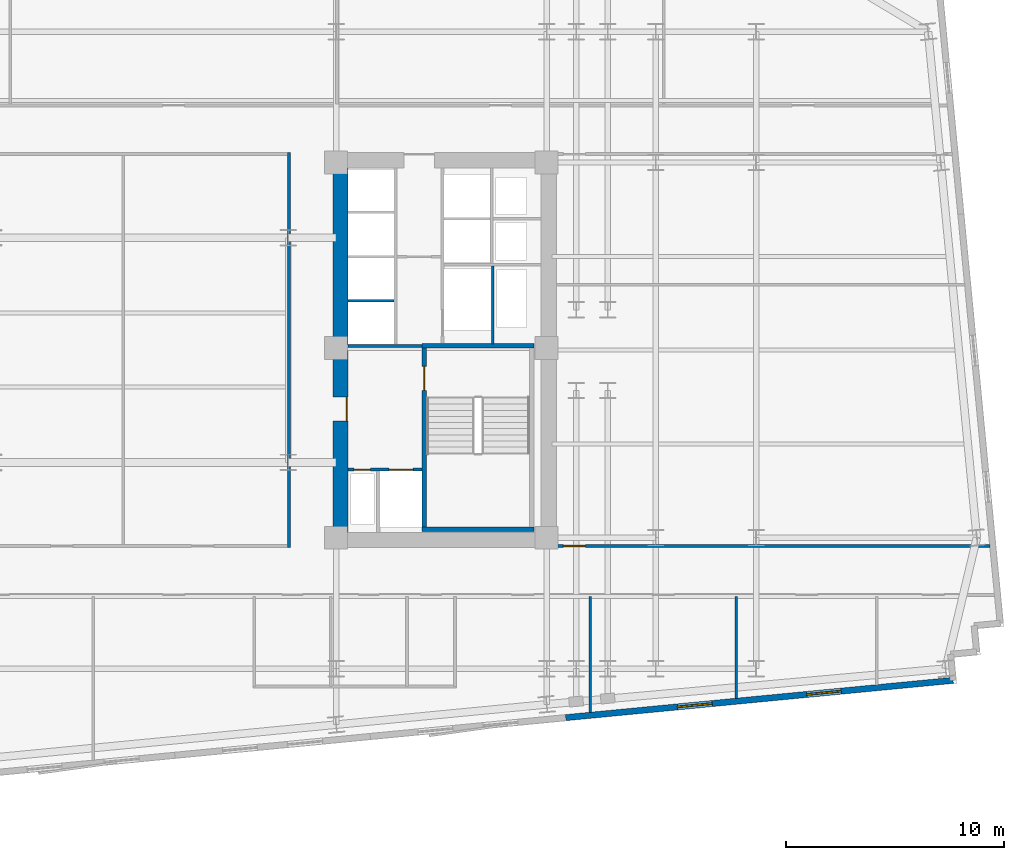
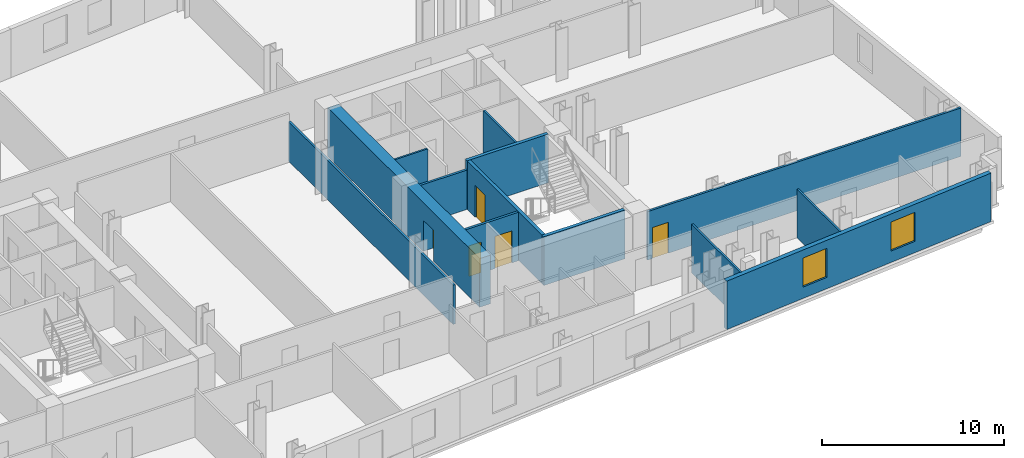
# One storey, part 6 of 10: 13 walls, 5 doors, 2 windows, 7 openings.
"""IFC4 building model written with IfcOpenShell, lengths in metres."""

import ifcopenshell
import ifcopenshell.guid

model = None  # the IFC model being written
_history = None  # IfcOwnerHistory: only IFC2X3 demands one
_inside = {}  # id of a spatial element -> (the spatial element, [elements in it])
_under = {}  # id of a project, library or spatial element -> (it, [spatial elements below it])
_declared = {}  # id of a project -> (the project, [libraries it declares])
_typed = {}  # id of a type object -> (the type object, [elements of that type])
_made_of = {}  # id of a material, layer set ... -> (it, [elements and type objects made of it])


def new_model(schema):
    """Start an empty IFC model of exactly this schema.

    Asked for "IFC4X3", IfcOpenShell would pick the latest addendum, in which some entities
    have other attributes; the version numbers below select the first issue.
    IFC2X3 requires an IfcOwnerHistory on every rooted entity: one is made here for all.
    """
    global model, _history
    if schema == "IFC4X3":
        model = ifcopenshell.file(schema_version=(4, 3, 0, 0))
    else:
        model = ifcopenshell.file(schema=schema)
    _inside.clear()
    _under.clear()
    _declared.clear()
    _typed.clear()
    _made_of.clear()
    _history = None
    if model.schema == "IFC2X3":
        org = make("IfcOrganization", Name="unknown")
        user = make(
            "IfcPersonAndOrganization",
            ThePerson=make("IfcPerson", FamilyName="unknown"),
            TheOrganization=org,
        )
        app = make(
            "IfcApplication",
            ApplicationDeveloper=org,
            Version="unknown",
            ApplicationFullName="unknown",
            ApplicationIdentifier="unknown",
        )
        _history = make(
            "IfcOwnerHistory",
            OwningUser=user,
            OwningApplication=app,
            ChangeAction="ADDED",
            CreationDate=0,
        )
    return model


def make(cls, **values):
    """One entity of the class cls with the attributes given. An attribute that is None is left unset."""
    return model.create_entity(
        cls, **{name: value for name, value in values.items() if value is not None}
    )


def rooted(cls, **values):
    """An entity with a GlobalId (a new one), such as an element, a storey or a relation."""
    return make(cls, GlobalId=ifcopenshell.guid.new(), OwnerHistory=_history, **values)


def si_unit(unit_type, name, prefix=None):
    """IfcSIUnit, for example si_unit("LENGTHUNIT", "METRE", prefix="MILLI")."""
    return make("IfcSIUnit", UnitType=unit_type, Prefix=prefix, Name=name)


def assignment(units):
    """IfcUnitAssignment: the units of a project."""
    return None if units is None else make("IfcUnitAssignment", Units=units)


def point(xyz):
    """IfcCartesianPoint."""
    return None if xyz is None else make("IfcCartesianPoint", Coordinates=xyz)


def direction(xyz):
    """IfcDirection."""
    return None if xyz is None else make("IfcDirection", DirectionRatios=xyz)


def frame(location, z_axis=None, x_axis=None):
    """IfcAxis2Placement3D, a coordinate frame: its origin and axes. An axis left out is left unset."""
    return make(
        "IfcAxis2Placement3D",
        Location=point(location),
        Axis=direction(z_axis),
        RefDirection=direction(x_axis),
    )


def frame_2d(location, x_axis=None):
    """IfcAxis2Placement2D, a coordinate frame in the plane: its origin and x axis."""
    return make(
        "IfcAxis2Placement2D", Location=point(location), RefDirection=direction(x_axis)
    )


def origin():
    """The frame at (0, 0, 0) with its axes left unset."""
    return frame((0.0, 0.0, 0.0))


def place(relative_to, where):
    """IfcLocalPlacement: puts the frame where relative to a parent placement (None: the world)."""
    return make(
        "IfcLocalPlacement", PlacementRelTo=relative_to, RelativePlacement=where
    )


def context(
    kind, dimensions, precision=None, world=None, true_north=None, identifier=None
):
    """IfcGeometricRepresentationContext, for example the 3D "Model" context."""
    return make(
        "IfcGeometricRepresentationContext",
        ContextIdentifier=identifier,
        ContextType=kind,
        CoordinateSpaceDimension=dimensions,
        Precision=precision,
        WorldCoordinateSystem=world,
        TrueNorth=true_north,
    )


def subcontext(parent, identifier, kind, view, scale=None):
    """IfcGeometricRepresentationSubContext, for example "Body" below "Model"."""
    return make(
        "IfcGeometricRepresentationSubContext",
        ContextIdentifier=identifier,
        ContextType=kind,
        ParentContext=parent,
        TargetScale=scale,
        TargetView=view,
    )


def project(units=None, contexts=None):
    """IfcProject with its units and contexts."""
    return rooted(
        "IfcProject",
        Name="project",
        RepresentationContexts=contexts,
        UnitsInContext=assignment(units),
    )


def spatial(cls, under=None, at=None, **own):
    """A site, building, storey or space (cls), placed at a placement, below another one or the project."""
    s = rooted(cls, ObjectPlacement=at, **own)
    if under is not None:
        _under.setdefault(under.id(), (under, []))[1].append(s)
    return s


def profile(cls, at=None, kind="AREA", **sizes):
    """A parametric profile (cls). Its sizes go by their IFC names, for example OverallWidth=200.0."""
    return make(cls, ProfileType=kind, Position=at, **sizes)


def rectangle(**sizes):
    """IfcRectangleProfileDef."""
    return profile("IfcRectangleProfileDef", **sizes)


def extrude(swept, where, along, depth):
    """IfcExtrudedAreaSolid: the profile swept, set in the frame where, extruded along a direction by depth."""
    return make(
        "IfcExtrudedAreaSolid",
        SweptArea=swept,
        Position=where,
        ExtrudedDirection=direction(along),
        Depth=depth,
    )


def shape(context_of_items, identifier, shape_type, items):
    """IfcShapeRepresentation: the items that make up one representation, for example the "Body"."""
    return make(
        "IfcShapeRepresentation",
        ContextOfItems=context_of_items,
        RepresentationIdentifier=identifier,
        RepresentationType=shape_type,
        Items=items,
    )


def material(Name=None, Category=None):
    """IfcMaterial."""
    return make("IfcMaterial", Name=Name, Category=Category)


def layer(
    of_material, thickness, ventilated=None, Name=None, Category=None, Priority=None
):
    """IfcMaterialLayer: one layer of a wall or slab, of a material (None: an air gap)."""
    return make(
        "IfcMaterialLayer",
        Material=of_material,
        LayerThickness=thickness,
        IsVentilated=ventilated,
        Name=Name,
        Category=Category,
        Priority=Priority,
    )


def layer_set(layers, Name=None):
    """IfcMaterialLayerSet."""
    return make("IfcMaterialLayerSet", MaterialLayers=layers, LayerSetName=Name)


def made_of(thing, what):
    """Note that an element or type object is made of a material, layer set ...; save() writes the relation."""
    if what is not None:
        _made_of.setdefault(what.id(), (what, []))[1].append(thing)
    return thing


def type_object(cls, material=None, **own):
    """A type object (cls), such as IfcWallType, which elements share."""
    return made_of(rooted(cls, **own), material)


def element(
    cls,
    number,
    at=None,
    inside=None,
    cuts=None,
    type_object=None,
    material=None,
    context=None,
    identifier="Body",
    shape_type=None,
    held_by="IfcProductDefinitionShape",
    body=None,
    shapes=None,
    **own,
):
    """One element of the class cls, such as IfcWall. Its Tag is "e" and its number.

    at: its placement. inside: the storey or other place that contains it. cuts: it is an
    opening in that element (IfcRelVoidsElement). A single representation is given by context,
    identifier, shape_type and body (its items); several are given by shapes. held_by: the class
    of the entity that holds the representations. save() writes the other relations.
    """
    e = rooted(cls, Tag="e%d" % number, ObjectPlacement=at, **own)
    if body is not None:
        shapes = [shape(context, identifier, shape_type, body)]
    if shapes is not None:
        e.Representation = make(held_by, Representations=shapes)
    if inside is not None:
        _inside.setdefault(inside.id(), (inside, []))[1].append(e)
    if cuts is not None:
        rooted(
            "IfcRelVoidsElement", RelatingBuildingElement=cuts, RelatedOpeningElement=e
        )
    if type_object is not None:
        _typed.setdefault(type_object.id(), (type_object, []))[1].append(e)
    return made_of(e, material)


def fill(opening, filler):
    """IfcRelFillsElement: the door or window that sits in an opening."""
    return rooted(
        "IfcRelFillsElement",
        RelatingOpeningElement=opening,
        RelatedBuildingElement=filler,
    )


def aggregate(whole, parts):
    """IfcRelAggregates: a whole, such as a stair, and the parts it consists of."""
    return rooted("IfcRelAggregates", RelatingObject=whole, RelatedObjects=parts)


def save(model, path):
    """Write the relations noted so far, then the file.

    IfcRelAggregates (storeys below a building ...), IfcRelContainedInSpatialStructure (elements
    in a storey), IfcRelDefinesByType, IfcRelAssociatesMaterial and IfcRelDeclares: one each for
    every whole, place, type object, material and project.
    """
    for whole, parts in _under.values():
        aggregate(whole, parts)
    for where, things in _inside.values():
        rooted(
            "IfcRelContainedInSpatialStructure",
            RelatedElements=things,
            RelatingStructure=where,
        )
    for kind, things in _typed.values():
        rooted("IfcRelDefinesByType", RelatedObjects=things, RelatingType=kind)
    for what, things in _made_of.values():
        rooted("IfcRelAssociatesMaterial", RelatedObjects=things, RelatingMaterial=what)
    for by, libraries in _declared.values():
        rooted("IfcRelDeclares", RelatingContext=by, RelatedDefinitions=libraries)
    model.write(path)


model = new_model("IFC4")

# Units and contexts
model_context = context("Model", 3, precision=1e-05, world=origin(), true_north=direction((0.0, 1.0)))
body_context = subcontext(model_context, "Body", "Model", "MODEL_VIEW")
ifc_project = project(units=[si_unit("LENGTHUNIT", "METRE"), si_unit("AREAUNIT", "SQUARE_METRE"), si_unit("VOLUMEUNIT", "CUBIC_METRE"), si_unit("PLANEANGLEUNIT", "RADIAN"), si_unit("MASSUNIT", "GRAM", prefix="KILO")], contexts=[model_context])

# Site, building, storey
site_placement = place(None, origin())
site = spatial("IfcSite", under=ifc_project, at=site_placement, CompositionType="ELEMENT")
building_placement = place(site_placement, origin())
building = spatial("IfcBuilding", under=site, at=building_placement, Name="Velakula Bourse", CompositionType="ELEMENT")
storey_placement = place(building_placement, frame((0.0, 0.0, 84.550048828125)))
storey = spatial("IfcBuildingStorey", under=building, at=storey_placement, Name="L22", CompositionType="ELEMENT", Elevation=84.550048828125)

# Wall, opening, door
ifc_material_1 = material(Name="Concrete M50 (fck 50 MPa)", Category="concrete")
ifc_layer_1 = layer(ifc_material_1, 0.2099609375, Name="Concrete M50 (fck 50 MPa)", Category="concrete")
ifc_layer_set_1 = layer_set([ifc_layer_1], Name="Concrete M50 (fck 50 MPa)")
wall_type_1 = type_object("IfcWallType", Name="WL-CORE-210", PredefinedType="SHEAR", material=ifc_layer_set_1)
wall_1_placement = place(storey_placement, frame((12.9951171875, -8.10009765625, 0.0), z_axis=(0.0, 0.0, 1.0), x_axis=(0.0, 1.0, 0.0)))
wall_1 = element("IfcWall", 1, at=wall_1_placement, inside=storey, type_object=wall_type_1, Name="L22 Core E Stairwell Shear Wall IN", PredefinedType="SHEAR", context=body_context, shape_type="SweptSolid", body=[
    extrude(rectangle(XDim=8.2001953125, YDim=0.2099609375, at=frame_2d((4.10009765625, 0.0))), origin(), (0.0, 0.0, 1.0), 3.27001953125),
])
opening_1_placement = place(wall_1_placement, frame((6.25, 0.0, 0.0)))
opening_1 = element("IfcOpeningElement", 2, at=opening_1_placement, cuts=wall_1, Name="Opening D-STE1", PredefinedType="OPENING", context=body_context, shape_type="SweptSolid", body=[
    extrude(rectangle(XDim=1.10009765625, YDim=2.14990234375, at=frame_2d((0.550048828125, 1.074951171875))), frame((0.0, 0.114990234375, 0.0), z_axis=(0.0, -1.0, 0.0), x_axis=(1.0, 0.0, 0.0)), (0.0, 0.0, 1.0), 0.22998046875),
])
ifc_material_2 = material(Name="Galvanised painted hollow steel fire door", Category="steel")
door_type_1 = type_object("IfcDoorType", Name="DR-FD120-1100x2150", OperationType="NOTDEFINED", PredefinedType="DOOR", material=ifc_material_2)
door_1_placement = place(opening_1_placement, origin())
door_1 = element("IfcDoor", 3, at=door_1_placement, inside=storey, type_object=door_type_1, Name="L22 Stair ST-E1 Fire Door", OperationType="SINGLE_SWING_RIGHT", OverallHeight=2.14990234375, OverallWidth=1.10009765625, PredefinedType="DOOR", context=body_context, shape_type="SweptSolid", body=[
    extrude(rectangle(XDim=1.10009765625, YDim=2.14990234375, at=frame_2d((0.550048828125, 1.074951171875))), frame((0.0, 0.02490234375, 0.0), z_axis=(0.0, -1.0, 0.0), x_axis=(1.0, 0.0, 0.0)), (0.0, 0.0, 1.0), 0.050048828125),
])
fill(opening_1, door_1)

# Walls
for number, where, z_axis, x_axis, name in (
    (4, (12.889892578125, -8.205078125, 0.0), (0.0, 0.0, 1.0), (1.0, 0.0, 0.0), "L22 Core E Stairwell Shear Wall S"),
    (5, (18.030029296875, 0.205078125, 0.0), (0.0, 0.0, 1.0), (-1.0, 0.0, 0.0), "L22 Core E Stairwell Shear Wall N"),
):
    element("IfcWall", number, at=place(storey_placement, frame(where, z_axis=z_axis, x_axis=x_axis)), inside=storey, type_object=wall_type_1, Name=name, PredefinedType="SHEAR", context=body_context, shape_type="SweptSolid", body=[
        extrude(rectangle(XDim=5.14013671875, YDim=0.2099609375, at=frame_2d((2.570068359375, 0.0))), origin(), (0.0, 0.0, 1.0), 3.27001953125),
    ])

# Wall, opening, door
ifc_material_3 = material(Name="Concrete M70 (fck 70 MPa)", Category="concrete")
ifc_layer_2 = layer(ifc_material_3, 0.699951171875, Name="Concrete M70 (fck 70 MPa)", Category="concrete")
ifc_layer_set_2 = layer_set([ifc_layer_2], Name="Concrete M70 (fck 70 MPa)")
wall_type_2 = type_object("IfcWallType", Name="WL-CORE-700", PredefinedType="SHEAR", material=ifc_layer_set_2)
wall_2_placement = place(storey_placement, frame((9.14990234375, -8.35009765625, 0.0), z_axis=(0.0, 0.0, 1.0), x_axis=(0.0, 1.0, 0.0)))
wall_2 = element("IfcWall", 6, at=wall_2_placement, inside=storey, type_object=wall_type_2, Name="L22 Core E Shear Wall W", PredefinedType="SHEAR", context=body_context, shape_type="SweptSolid", body=[
    extrude(rectangle(XDim=16.7001953125, YDim=0.699951171875, at=frame_2d((8.35009765625, 0.0))), origin(), (0.0, 0.0, 1.0), 3.27001953125),
])
opening_2_placement = place(wall_2_placement, frame((5.10009765625, 0.0, 0.0)))
opening_2 = element("IfcOpeningElement", 7, at=opening_2_placement, cuts=wall_2, Name="Opening D-FLE", PredefinedType="OPENING", context=body_context, shape_type="SweptSolid", body=[
    extrude(rectangle(XDim=1.10009765625, YDim=2.080078125, at=frame_2d((0.550048828125, 1.0400390625))), frame((0.0, 0.35986328125, 0.0), z_axis=(0.0, -1.0, 0.0), x_axis=(1.0, 0.0, 0.0)), (0.0, 0.0, 1.0), 0.719970703125),
])
door_type_2 = type_object("IfcDoorType", Name="DR-FD120-1100", OperationType="NOTDEFINED", PredefinedType="DOOR", material=ifc_material_2)
door_2_placement = place(opening_2_placement, origin())
door_2 = element("IfcDoor", 8, at=door_2_placement, inside=storey, type_object=door_type_2, Name="L22 Firefighting Lobby E Corridor Fire Door", OperationType="SINGLE_SWING_RIGHT", OverallHeight=2.080078125, OverallWidth=1.10009765625, PredefinedType="DOOR", context=body_context, shape_type="SweptSolid", body=[
    extrude(rectangle(XDim=1.10009765625, YDim=2.080078125, at=frame_2d((0.550048828125, 1.0400390625))), frame((0.0, -0.2548828125, 0.0), z_axis=(0.0, -1.0, 0.0), x_axis=(1.0, 0.0, 0.0)), (0.0, 0.0, 1.0), 0.050048828125),
])
fill(opening_2, door_2)

# Wall, openings, windows
ifc_material_4 = material(Name="Red kilned clay facing brick masonry", Category="masonry")
ifc_layer_3 = layer(ifc_material_4, 0.280029296875, Name="Red kilned clay facing brick masonry", Category="masonry")
ifc_layer_set_3 = layer_set([ifc_layer_3], Name="Red kilned clay facing brick masonry")
wall_type_3 = type_object("IfcWallType", Name="WL-EXT-BRK-280", PredefinedType="STANDARD", material=ifc_layer_set_3)
wall_3_placement = place(storey_placement, frame((37.2314453125, -15.138427734375, 0.0), z_axis=(0.0, 0.0, 1.0), x_axis=(-0.995395780835, -0.095850088663, 0.0)))
wall_3 = element("IfcWall", 9, at=wall_3_placement, inside=storey, type_object=wall_type_3, Name="L22 S Brick Spandrel Wall B5", PredefinedType="STANDARD", context=body_context, shape_type="SweptSolid", body=[
    extrude(rectangle(XDim=17.83984375, YDim=0.280029296875, at=frame_2d((8.919921875, 0.0))), origin(), (0.0, 0.0, 1.0), 3.25),
])
opening_3_placement = place(wall_3_placement, frame((5.146728515625, 0.0, 0.760009765625)))
opening_3 = element("IfcOpeningElement", 10, at=opening_3_placement, cuts=wall_3, Name="Opening W-02", PredefinedType="OPENING", context=body_context, shape_type="SweptSolid", body=[
    extrude(rectangle(XDim=1.60009765625, YDim=1.949951171875, at=frame_2d((0.800048828125, 0.97509765625))), frame((0.0, 0.14990234375, 0.0), z_axis=(0.0, -1.0, 0.0), x_axis=(1.0, 0.0, 0.0)), (0.0, 0.0, 1.0), 0.300048828125),
])
opening_4_placement = place(wall_3_placement, frame((11.09326171875, 0.0, 0.760009765625)))
opening_4 = element("IfcOpeningElement", 11, at=opening_4_placement, cuts=wall_3, Name="Opening W-02", PredefinedType="OPENING", context=body_context, shape_type="SweptSolid", body=[
    extrude(rectangle(XDim=1.60009765625, YDim=1.949951171875, at=frame_2d((0.800048828125, 0.97509765625))), frame((0.0, 0.14990234375, 0.0), z_axis=(0.0, -1.0, 0.0), x_axis=(1.0, 0.0, 0.0)), (0.0, 0.0, 1.0), 0.300048828125),
])
ifc_material_5 = material(Name="Double-glazed solar-control Low-E glass", Category="glass")
window_type = type_object("IfcWindowType", Name="WIN-TWR-1600x2100", PartitioningType="SINGLE_PANEL", PredefinedType="WINDOW", material=ifc_material_5)
window_1_placement = place(opening_3_placement, origin())
window_1 = element("IfcWindow", 12, at=window_1_placement, inside=storey, type_object=window_type, Name="L22 Deep-Set Recessed Window 1", OverallHeight=1.949951171875, OverallWidth=1.60009765625, PartitioningType="SINGLE_PANEL", PredefinedType="WINDOW", context=body_context, shape_type="SweptSolid", body=[
    extrude(rectangle(XDim=1.60009765625, YDim=1.949951171875, at=frame_2d((0.800048828125, 0.97509765625))), frame((0.0, 0.030029296875, 0.0), z_axis=(0.0, -1.0, 0.0), x_axis=(1.0, 0.0, 0.0)), (0.0, 0.0, 1.0), 0.06005859375),
])
fill(opening_3, window_1)
window_2_placement = place(opening_4_placement, origin())
window_2 = element("IfcWindow", 13, at=window_2_placement, inside=storey, type_object=window_type, Name="L22 Deep-Set Recessed Window 2", OverallHeight=1.949951171875, OverallWidth=1.60009765625, PartitioningType="SINGLE_PANEL", PredefinedType="WINDOW", context=body_context, shape_type="SweptSolid", body=[
    extrude(rectangle(XDim=1.60009765625, YDim=1.949951171875, at=frame_2d((0.800048828125, 0.97509765625))), frame((0.0, 0.030029296875, 0.0), z_axis=(0.0, -1.0, 0.0), x_axis=(1.0, 0.0, 0.0)), (0.0, 0.0, 1.0), 0.06005859375),
])
fill(opening_4, window_2)

# Walls
ifc_material_6 = material(Name="Fire-rated double-layer gypsum drywall partition", Category="gypsum")
ifc_layer_4 = layer(ifc_material_6, 0.1201171875, Name="Fire-rated double-layer gypsum drywall partition", Category="gypsum")
ifc_layer_set_4 = layer_set([ifc_layer_4], Name="Fire-rated double-layer gypsum drywall partition")
wall_type_4 = type_object("IfcWallType", Name="WL-PART-120", PredefinedType="STANDARD", material=ifc_layer_set_4)
wall_4_placement = place(storey_placement, frame((9.5, 2.2548828125, 0.0), z_axis=(0.0, 0.0, 1.0), x_axis=(1.0, 0.0, 0.0)))
element("IfcWall", 14, at=wall_4_placement, inside=storey, type_object=wall_type_4, Name="L22 Interior Partition WL-CRE-L22-BDIV-0", PredefinedType="STANDARD", context=body_context, shape_type="SweptSolid", body=[
    extrude(rectangle(XDim=2.10009765625, YDim=0.110107421875, at=frame_2d((1.050048828125, 0.0))), origin(), (0.0, 0.0, 1.0), 3.25),
])
wall_5_placement = place(storey_placement, frame((16.125, 0.27001953125, 0.0), z_axis=(0.0, 0.0, 1.0), x_axis=(0.0, 1.0, 0.0)))
element("IfcWall", 15, at=wall_5_placement, inside=storey, type_object=wall_type_4, Name="L22 Interior Partition WL-CRE-L22-SVL-E", PredefinedType="STANDARD", context=body_context, shape_type="SweptSolid", body=[
    extrude(rectangle(XDim=3.590087890625, YDim=0.1201171875, at=frame_2d((1.794921875, 0.0))), origin(), (0.0, 0.0, 1.0), 3.25),
])
wall_6_placement = place(storey_placement, frame((20.597900390625, -16.619384765625, 0.0), z_axis=(0.0, 0.0, 1.0), x_axis=(0.0, 1.0, 0.0)))
element("IfcWall", 16, at=wall_6_placement, inside=storey, type_object=wall_type_4, Name="L22 Interior Partition WL-INT-L22-SR-D8", PredefinedType="STANDARD", context=body_context, shape_type="SweptSolid", body=[
    extrude(rectangle(XDim=5.329345703125, YDim=0.1201171875, at=frame_2d((2.66455078125, 0.0))), origin(), (0.0, 0.0, 1.0), 3.25),
])
wall_7_placement = place(storey_placement, frame((27.29296875, -15.974853515625, 0.0), z_axis=(0.0, 0.0, 1.0), x_axis=(0.0, 1.0, 0.0)))
element("IfcWall", 17, at=wall_7_placement, inside=storey, type_object=wall_type_4, Name="L22 Interior Partition WL-INT-L22-SR-D9", PredefinedType="STANDARD", context=body_context, shape_type="SweptSolid", body=[
    extrude(rectangle(XDim=4.684814453125, YDim=0.1201171875, at=frame_2d((2.34228515625, 0.0))), origin(), (0.0, 0.0, 1.0), 3.25),
])

# Wall, opening, door
ifc_layer_5 = layer(ifc_material_6, 0.139892578125, Name="Fire-rated double-layer gypsum drywall partition", Category="gypsum")
ifc_layer_set_5 = layer_set([ifc_layer_5], Name="Fire-rated double-layer gypsum drywall partition")
wall_type_5 = type_object("IfcWallType", Name="WL-PART-140", PredefinedType="STANDARD", material=ifc_layer_set_5)
wall_8_placement = place(storey_placement, frame((19.050048828125, -8.97998046875, 0.0), z_axis=(0.0, 0.0, 1.0), x_axis=(1.0, 0.0, 0.0)))
wall_8 = element("IfcWall", 18, at=wall_8_placement, inside=storey, type_object=wall_type_5, Name="L22 Interior Partition WL-INT-L22-E-SC", PredefinedType="STANDARD", context=body_context, shape_type="SweptSolid", body=[
    extrude(rectangle(XDim=19.87890625, YDim=0.139892578125, at=frame_2d((9.939453125, 0.0))), origin(), (0.0, 0.0, 1.0), 3.25),
])
opening_5_placement = place(wall_8_placement, frame((0.320068359375, 0.0, 0.0)))
opening_5 = element("IfcOpeningElement", 19, at=opening_5_placement, cuts=wall_8, Name="Opening D-OF1", PredefinedType="OPENING", context=body_context, shape_type="SweptSolid", body=[
    extrude(rectangle(XDim=1.0, YDim=2.080078125, at=frame_2d((0.5, 1.0400390625))), frame((0.0, 0.079833984375, 0.0), z_axis=(0.0, -1.0, 0.0), x_axis=(1.0, 0.0, 0.0)), (0.0, 0.0, 1.0), 0.159912109375),
])
ifc_material_7 = material(Name="Fire-rated hardwood flush architectural door", Category="wood")
door_type_3 = type_object("IfcDoorType", Name="DR-OFF-1000", OperationType="NOTDEFINED", PredefinedType="DOOR", material=ifc_material_7)
door_3_placement = place(opening_5_placement, origin())
door_3 = element("IfcDoor", 20, at=door_3_placement, inside=storey, type_object=door_type_3, Name="L22 Central Depository Workspace Door", OperationType="SINGLE_SWING_RIGHT", OverallHeight=2.080078125, OverallWidth=1.0, PredefinedType="DOOR", context=body_context, shape_type="SweptSolid", body=[
    extrude(rectangle(XDim=1.0, YDim=2.080078125, at=frame_2d((0.5, 1.0400390625))), frame((0.0, 0.02490234375, 0.0), z_axis=(0.0, -1.0, 0.0), x_axis=(1.0, 0.0, 0.0)), (0.0, 0.0, 1.0), 0.050048828125),
])
fill(opening_5, door_3)

# Wall
wall_9_placement = place(storey_placement, frame((6.780029296875, -9.050048828125, 0.0), z_axis=(0.0, 0.0, 1.0), x_axis=(0.0, 1.0, 0.0)))
element("IfcWall", 21, at=wall_9_placement, inside=storey, type_object=wall_type_5, Name="L22 Interior Partition WL-INT-L22-MID-E", PredefinedType="STANDARD", context=body_context, shape_type="SweptSolid", body=[
    extrude(rectangle(XDim=18.10009765625, YDim=0.139892578125, at=frame_2d((9.050048828125, 0.0))), origin(), (0.0, 0.0, 1.0), 2.64501953125),
])

# Wall, openings, doors
ifc_material_8 = material(Name="Autoclaved aerated concrete blockwork masonry", Category="masonry")
ifc_layer_6 = layer(ifc_material_8, 0.14990234375, Name="Autoclaved aerated concrete blockwork masonry", Category="masonry")
ifc_layer_set_6 = layer_set([ifc_layer_6], Name="Autoclaved aerated concrete blockwork masonry")
wall_type_6 = type_object("IfcWallType", Name="WL-SHAFT-150", PredefinedType="STANDARD", material=ifc_layer_set_6)
wall_10_placement = place(storey_placement, frame((9.5, -5.47509765625, 0.0), z_axis=(0.0, 0.0, 1.0), x_axis=(1.0, 0.0, 0.0)))
wall_10 = element("IfcWall", 22, at=wall_10_placement, inside=storey, type_object=wall_type_6, Name="L22 Interior Partition WL-CRE-L22-FFL-N", PredefinedType="STANDARD", context=body_context, shape_type="SweptSolid", body=[
    extrude(rectangle(XDim=3.39501953125, YDim=0.14990234375, at=frame_2d((1.697509765625, 0.0))), origin(), (0.0, 0.0, 1.0), 3.25),
])
opening_6_placement = place(wall_10_placement, frame((1.875, 0.0, 0.0)))
opening_6 = element("IfcOpeningElement", 23, at=opening_6_placement, cuts=wall_10, Name="Opening LD-FFL-2", PredefinedType="OPENING", context=body_context, shape_type="SweptSolid", body=[
    extrude(rectangle(XDim=1.10009765625, YDim=2.14990234375, at=frame_2d((0.550048828125, 1.074951171875))), frame((0.0, 0.0849609375, 0.0), z_axis=(0.0, -1.0, 0.0), x_axis=(1.0, 0.0, 0.0)), (0.0, 0.0, 1.0), 0.169921875),
])
opening_7_placement = place(wall_10_placement, frame((0.27490234375, 0.0, 0.0)))
opening_7 = element("IfcOpeningElement", 24, at=opening_7_placement, cuts=wall_10, Name="Opening D-RS1", PredefinedType="OPENING", context=body_context, shape_type="SweptSolid", body=[
    extrude(rectangle(XDim=0.75, YDim=2.050048828125, at=frame_2d((0.375, 1.02490234375))), frame((0.0, 0.0849609375, 0.0), z_axis=(0.0, -1.0, 0.0), x_axis=(1.0, 0.0, 0.0)), (0.0, 0.0, 1.0), 0.169921875),
])
door_type_4 = type_object("IfcDoorType", Name="DR-RISER-800", OperationType="NOTDEFINED", PredefinedType="DOOR", material=ifc_material_2)
door_4_placement = place(opening_7_placement, origin())
door_4 = element("IfcDoor", 25, at=door_4_placement, inside=storey, type_object=door_type_4, Name="L22 Fire Riser Access Door", OperationType="SINGLE_SWING_LEFT", OverallHeight=2.050048828125, OverallWidth=0.75, PredefinedType="DOOR", context=body_context, shape_type="SweptSolid", body=[
    extrude(rectangle(XDim=0.75, YDim=2.050048828125, at=frame_2d((0.375, 1.02490234375))), frame((0.0, 0.02490234375, 0.0), z_axis=(0.0, -1.0, 0.0), x_axis=(1.0, 0.0, 0.0)), (0.0, 0.0, 1.0), 0.050048828125),
])
fill(opening_7, door_4)
ifc_material_9 = material(Name="Brushed grade 316 stainless steel", Category="steel")
door_type_5 = type_object("IfcDoorType", Name="DR-SLIDE-FFL-1100", OperationType="DOUBLE_DOOR_SLIDING", PredefinedType="DOOR", material=ifc_material_9)
door_5_placement = place(opening_6_placement, origin())
door_5 = element("IfcDoor", 26, at=door_5_placement, inside=storey, type_object=door_type_5, Name="L22 Firefighting Lift FFL-2 Sliding Landing Door", OperationType="DOUBLE_DOOR_SLIDING", OverallHeight=2.14990234375, OverallWidth=1.10009765625, PredefinedType="DOOR", context=body_context, shape_type="SweptSolid", body=[
    extrude(rectangle(XDim=1.10009765625, YDim=2.14990234375, at=frame_2d((0.550048828125, 1.074951171875))), frame((0.0, 0.02490234375, 0.0), z_axis=(0.0, -1.0, 0.0), x_axis=(1.0, 0.0, 0.0)), (0.0, 0.0, 1.0), 0.050048828125),
])
fill(opening_6, door_5)

# Wall
wall_11_placement = place(storey_placement, frame((9.5, 0.18994140625, 0.0), z_axis=(0.0, 0.0, 1.0), x_axis=(1.0, 0.0, 0.0)))
element("IfcWall", 27, at=wall_11_placement, inside=storey, type_object=wall_type_6, Name="L22 Interior Partition WL-CRE-L22-FF-TOP", PredefinedType="STANDARD", context=body_context, shape_type="SweptSolid", body=[
    extrude(rectangle(XDim=3.389892578125, YDim=0.14990234375, at=frame_2d((1.69482421875, 0.0))), origin(), (0.0, 0.0, 1.0), 2.64501953125),
])

save(model, "model.ifc")
